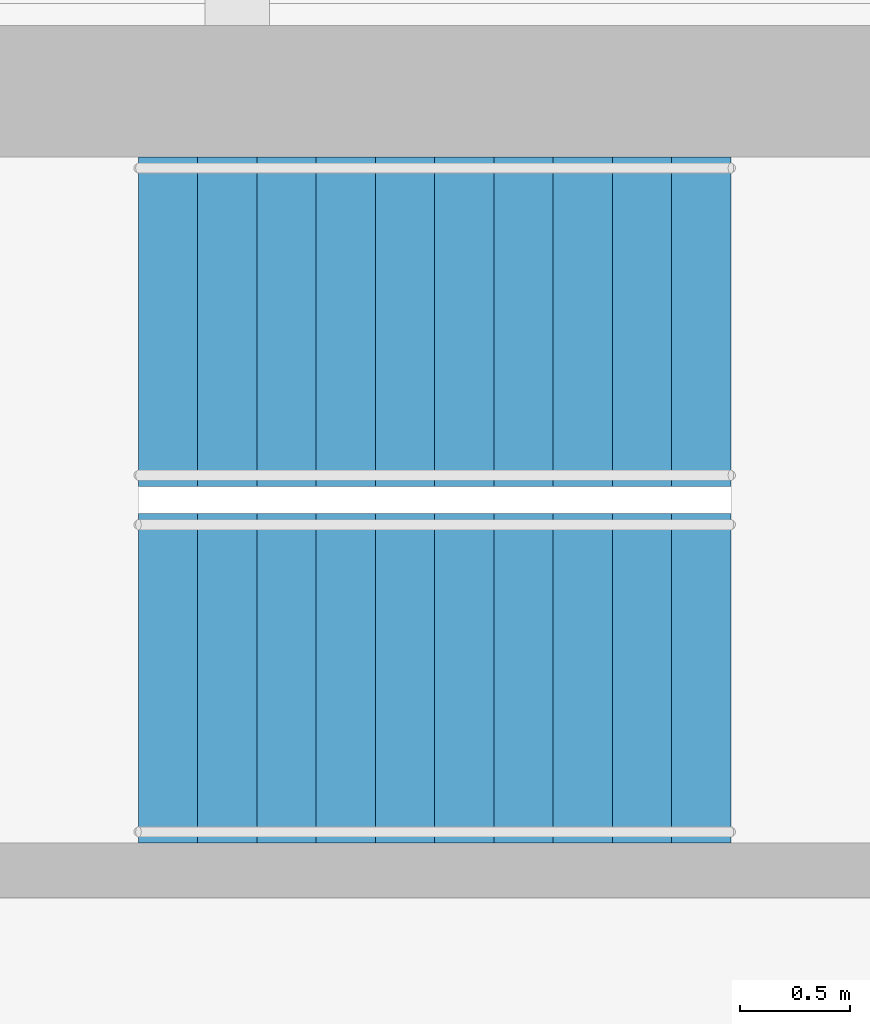
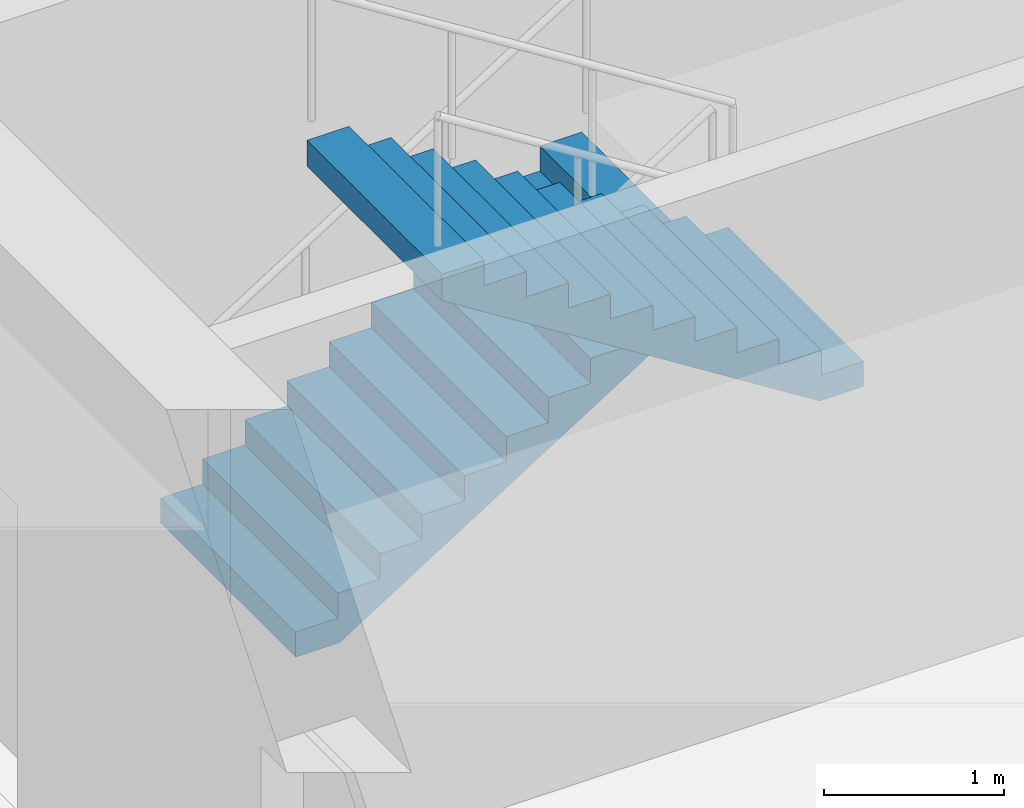
# One storey, part 13 of 18: 2 stair flights, 1 element without a shape of its own.
"""IFC4 building model written with IfcOpenShell, lengths in metres."""

import ifcopenshell
import ifcopenshell.guid

model = None  # the IFC model being written
_history = None  # IfcOwnerHistory: only IFC2X3 demands one
_inside = {}  # id of a spatial element -> (the spatial element, [elements in it])
_under = {}  # id of a project, library or spatial element -> (it, [spatial elements below it])
_declared = {}  # id of a project -> (the project, [libraries it declares])
_typed = {}  # id of a type object -> (the type object, [elements of that type])
_made_of = {}  # id of a material, layer set ... -> (it, [elements and type objects made of it])


def new_model(schema):
    """Start an empty IFC model of exactly this schema.

    Asked for "IFC4X3", IfcOpenShell would pick the latest addendum, in which some entities
    have other attributes; the version numbers below select the first issue.
    IFC2X3 requires an IfcOwnerHistory on every rooted entity: one is made here for all.
    """
    global model, _history
    if schema == "IFC4X3":
        model = ifcopenshell.file(schema_version=(4, 3, 0, 0))
    else:
        model = ifcopenshell.file(schema=schema)
    _inside.clear()
    _under.clear()
    _declared.clear()
    _typed.clear()
    _made_of.clear()
    _history = None
    if model.schema == "IFC2X3":
        org = make("IfcOrganization", Name="unknown")
        user = make(
            "IfcPersonAndOrganization",
            ThePerson=make("IfcPerson", FamilyName="unknown"),
            TheOrganization=org,
        )
        app = make(
            "IfcApplication",
            ApplicationDeveloper=org,
            Version="unknown",
            ApplicationFullName="unknown",
            ApplicationIdentifier="unknown",
        )
        _history = make(
            "IfcOwnerHistory",
            OwningUser=user,
            OwningApplication=app,
            ChangeAction="ADDED",
            CreationDate=0,
        )
    return model


def make(cls, **values):
    """One entity of the class cls with the attributes given. An attribute that is None is left unset."""
    return model.create_entity(
        cls, **{name: value for name, value in values.items() if value is not None}
    )


def rooted(cls, **values):
    """An entity with a GlobalId (a new one), such as an element, a storey or a relation."""
    return make(cls, GlobalId=ifcopenshell.guid.new(), OwnerHistory=_history, **values)


def si_unit(unit_type, name, prefix=None):
    """IfcSIUnit, for example si_unit("LENGTHUNIT", "METRE", prefix="MILLI")."""
    return make("IfcSIUnit", UnitType=unit_type, Prefix=prefix, Name=name)


def assignment(units):
    """IfcUnitAssignment: the units of a project."""
    return None if units is None else make("IfcUnitAssignment", Units=units)


def point(xyz):
    """IfcCartesianPoint."""
    return None if xyz is None else make("IfcCartesianPoint", Coordinates=xyz)


def direction(xyz):
    """IfcDirection."""
    return None if xyz is None else make("IfcDirection", DirectionRatios=xyz)


def frame(location, z_axis=None, x_axis=None):
    """IfcAxis2Placement3D, a coordinate frame: its origin and axes. An axis left out is left unset."""
    return make(
        "IfcAxis2Placement3D",
        Location=point(location),
        Axis=direction(z_axis),
        RefDirection=direction(x_axis),
    )


def origin():
    """The frame at (0, 0, 0) with its axes left unset."""
    return frame((0.0, 0.0, 0.0))


def place(relative_to, where):
    """IfcLocalPlacement: puts the frame where relative to a parent placement (None: the world)."""
    return make(
        "IfcLocalPlacement", PlacementRelTo=relative_to, RelativePlacement=where
    )


def context(
    kind, dimensions, precision=None, world=None, true_north=None, identifier=None
):
    """IfcGeometricRepresentationContext, for example the 3D "Model" context."""
    return make(
        "IfcGeometricRepresentationContext",
        ContextIdentifier=identifier,
        ContextType=kind,
        CoordinateSpaceDimension=dimensions,
        Precision=precision,
        WorldCoordinateSystem=world,
        TrueNorth=true_north,
    )


def subcontext(parent, identifier, kind, view, scale=None):
    """IfcGeometricRepresentationSubContext, for example "Body" below "Model"."""
    return make(
        "IfcGeometricRepresentationSubContext",
        ContextIdentifier=identifier,
        ContextType=kind,
        ParentContext=parent,
        TargetScale=scale,
        TargetView=view,
    )


def project(units=None, contexts=None):
    """IfcProject with its units and contexts."""
    return rooted(
        "IfcProject",
        Name="project",
        RepresentationContexts=contexts,
        UnitsInContext=assignment(units),
    )


def spatial(cls, under=None, at=None, **own):
    """A site, building, storey or space (cls), placed at a placement, below another one or the project."""
    s = rooted(cls, ObjectPlacement=at, **own)
    if under is not None:
        _under.setdefault(under.id(), (under, []))[1].append(s)
    return s


def polyline(points):
    """IfcPolyline through the points."""
    return make("IfcPolyline", Points=[point(p) for p in points])


def outline(outer, holes=None, kind="AREA"):
    """IfcArbitraryClosedProfileDef: a profile drawn as a closed curve; with holes, ...WithVoids."""
    if holes is None:
        return make("IfcArbitraryClosedProfileDef", ProfileType=kind, OuterCurve=outer)
    return make(
        "IfcArbitraryProfileDefWithVoids",
        ProfileType=kind,
        OuterCurve=outer,
        InnerCurves=holes,
    )


def extrude(swept, where, along, depth):
    """IfcExtrudedAreaSolid: the profile swept, set in the frame where, extruded along a direction by depth."""
    return make(
        "IfcExtrudedAreaSolid",
        SweptArea=swept,
        Position=where,
        ExtrudedDirection=direction(along),
        Depth=depth,
    )


def shape(context_of_items, identifier, shape_type, items):
    """IfcShapeRepresentation: the items that make up one representation, for example the "Body"."""
    return make(
        "IfcShapeRepresentation",
        ContextOfItems=context_of_items,
        RepresentationIdentifier=identifier,
        RepresentationType=shape_type,
        Items=items,
    )


def material(Name=None, Category=None):
    """IfcMaterial."""
    return make("IfcMaterial", Name=Name, Category=Category)


def made_of(thing, what):
    """Note that an element or type object is made of a material, layer set ...; save() writes the relation."""
    if what is not None:
        _made_of.setdefault(what.id(), (what, []))[1].append(thing)
    return thing


def type_object(cls, material=None, **own):
    """A type object (cls), such as IfcWallType, which elements share."""
    return made_of(rooted(cls, **own), material)


def element(
    cls,
    number,
    at=None,
    inside=None,
    cuts=None,
    type_object=None,
    material=None,
    context=None,
    identifier="Body",
    shape_type=None,
    held_by="IfcProductDefinitionShape",
    body=None,
    shapes=None,
    **own,
):
    """One element of the class cls, such as IfcWall. Its Tag is "e" and its number.

    at: its placement. inside: the storey or other place that contains it. cuts: it is an
    opening in that element (IfcRelVoidsElement). A single representation is given by context,
    identifier, shape_type and body (its items); several are given by shapes. held_by: the class
    of the entity that holds the representations. save() writes the other relations.
    """
    e = rooted(cls, Tag="e%d" % number, ObjectPlacement=at, **own)
    if body is not None:
        shapes = [shape(context, identifier, shape_type, body)]
    if shapes is not None:
        e.Representation = make(held_by, Representations=shapes)
    if inside is not None:
        _inside.setdefault(inside.id(), (inside, []))[1].append(e)
    if cuts is not None:
        rooted(
            "IfcRelVoidsElement", RelatingBuildingElement=cuts, RelatedOpeningElement=e
        )
    if type_object is not None:
        _typed.setdefault(type_object.id(), (type_object, []))[1].append(e)
    return made_of(e, material)


def aggregate(whole, parts):
    """IfcRelAggregates: a whole, such as a stair, and the parts it consists of."""
    return rooted("IfcRelAggregates", RelatingObject=whole, RelatedObjects=parts)


def save(model, path):
    """Write the relations noted so far, then the file.

    IfcRelAggregates (storeys below a building ...), IfcRelContainedInSpatialStructure (elements
    in a storey), IfcRelDefinesByType, IfcRelAssociatesMaterial and IfcRelDeclares: one each for
    every whole, place, type object, material and project.
    """
    for whole, parts in _under.values():
        aggregate(whole, parts)
    for where, things in _inside.values():
        rooted(
            "IfcRelContainedInSpatialStructure",
            RelatedElements=things,
            RelatingStructure=where,
        )
    for kind, things in _typed.values():
        rooted("IfcRelDefinesByType", RelatedObjects=things, RelatingType=kind)
    for what, things in _made_of.values():
        rooted("IfcRelAssociatesMaterial", RelatedObjects=things, RelatingMaterial=what)
    for by, libraries in _declared.values():
        rooted("IfcRelDeclares", RelatingContext=by, RelatedDefinitions=libraries)
    model.write(path)


model = new_model("IFC4")

# Units and contexts
model_context = context("Model", 3, precision=1e-05, world=origin(), true_north=direction((0.0, 1.0)))
body_context = subcontext(model_context, "Body", "Model", "MODEL_VIEW")
ifc_project = project(units=[si_unit("LENGTHUNIT", "METRE"), si_unit("AREAUNIT", "SQUARE_METRE"), si_unit("VOLUMEUNIT", "CUBIC_METRE"), si_unit("PLANEANGLEUNIT", "RADIAN"), si_unit("MASSUNIT", "GRAM", prefix="KILO")], contexts=[model_context])

# Site, building, storey
site_placement = place(None, origin())
site = spatial("IfcSite", under=ifc_project, at=site_placement, CompositionType="ELEMENT")
building_placement = place(site_placement, origin())
building = spatial("IfcBuilding", under=site, at=building_placement, Name="Msasa Ring Tower", CompositionType="ELEMENT")
storey_placement = place(building_placement, frame((0.0, 0.0, 208.300048828125)))
storey = spatial("IfcBuildingStorey", under=building, at=storey_placement, Name="L54", CompositionType="ELEMENT", Elevation=208.300048828125)

# Stair, stair flights
ifc_material_1 = material(Name="Concrete C40/50", Category="concrete")
stair_type = type_object("IfcStairType", Name="STC CORE STAIR 22 RISERS 170.5", PredefinedType="HALF_TURN_STAIR", material=ifc_material_1)
stair_placement = place(storey_placement, origin())
stair = element("IfcStair", 1, at=stair_placement, inside=storey, type_object=stair_type, Name="Core stair SEB L54", PredefinedType="HALF_TURN_STAIR")
ifc_material_2 = material(Name="Concrete C40/50", Category="concrete")
stair_flight_type = type_object("IfcStairFlightType", Name="ST11 CORE STAIR FLIGHT 1500 11 RISERS 170.5", PredefinedType="STRAIGHT", material=ifc_material_2)
stair_flight_1_placement = place(storey_placement, frame((10.800048828125, 5.699951171875, 0.0), z_axis=(0.0, 0.0, 1.0), x_axis=(1.0, 0.0, 0.0)))
stair_flight_1 = element("IfcStairFlight", 2, at=stair_flight_1_placement, type_object=stair_flight_type, Name="SEB flight 1", NumberOfRisers=11, NumberOfTreads=10, PredefinedType="STRAIGHT", RiserHeight=0.170454545, TreadLength=0.27, context=body_context, shape_type="SweptSolid", body=[
    extrude(outline(polyline([(0.0, 0.0), (0.0, 0.17041015625), (0.27001953125, 0.17041015625), (0.27001953125, 0.3408203125), (0.5400390625, 0.3408203125), (0.5400390625, 0.511474609375), (0.81005859375, 0.511474609375), (0.81005859375, 0.681884765625), (1.080078125, 0.681884765625), (1.080078125, 0.852294921875), (1.35009765625, 0.852294921875), (1.35009765625, 1.022705078125), (1.6201171875, 1.022705078125), (1.6201171875, 1.193115234375), (1.889892578125, 1.193115234375), (1.889892578125, 1.363525390625), (2.159912109375, 1.363525390625), (2.159912109375, 1.5341796875), (2.429931640625, 1.5341796875), (2.429931640625, 1.70458984375), (2.699951171875, 1.70458984375), (2.699951171875, 1.875), (2.699951171875, 1.52734375), (0.28076171875, 0.0), (0.0, 0.0)])), frame((0.0, 0.75, 0.0), z_axis=(0.0, -1.0, 0.0), x_axis=(1.0, 0.0, 0.0)), (0.0, 0.0, 1.0), 1.5),
])
stair_flight_2_placement = place(storey_placement, frame((13.5, 4.074951171875, 1.875), z_axis=(0.0, 0.0, 1.0), x_axis=(-1.0, 0.0, 0.0)))
stair_flight_2 = element("IfcStairFlight", 3, at=stair_flight_2_placement, type_object=stair_flight_type, Name="SEB flight 2", NumberOfRisers=11, NumberOfTreads=10, PredefinedType="STRAIGHT", RiserHeight=0.170454545, TreadLength=0.27, context=body_context, shape_type="SweptSolid", body=[
    extrude(outline(polyline([(0.0, 0.0), (0.0, 0.17041015625), (0.27001953125, 0.17041015625), (0.27001953125, 0.3408203125), (0.5400390625, 0.3408203125), (0.5400390625, 0.511474609375), (0.81005859375, 0.511474609375), (0.81005859375, 0.681884765625), (1.080078125, 0.681884765625), (1.080078125, 0.852294921875), (1.35009765625, 0.852294921875), (1.35009765625, 1.022705078125), (1.6201171875, 1.022705078125), (1.6201171875, 1.193115234375), (1.889892578125, 1.193115234375), (1.889892578125, 1.363525390625), (2.159912109375, 1.363525390625), (2.159912109375, 1.5341796875), (2.429931640625, 1.5341796875), (2.429931640625, 1.70458984375), (2.699951171875, 1.70458984375), (2.699951171875, 1.875), (2.699951171875, 1.52734375), (0.28076171875, 0.0), (0.0, 0.0)])), frame((0.0, 0.75, 0.0), z_axis=(0.0, -1.0, 0.0), x_axis=(1.0, 0.0, 0.0)), (0.0, 0.0, 1.0), 1.5),
])
aggregate(stair, [stair_flight_1, stair_flight_2])

save(model, "model.ifc")
